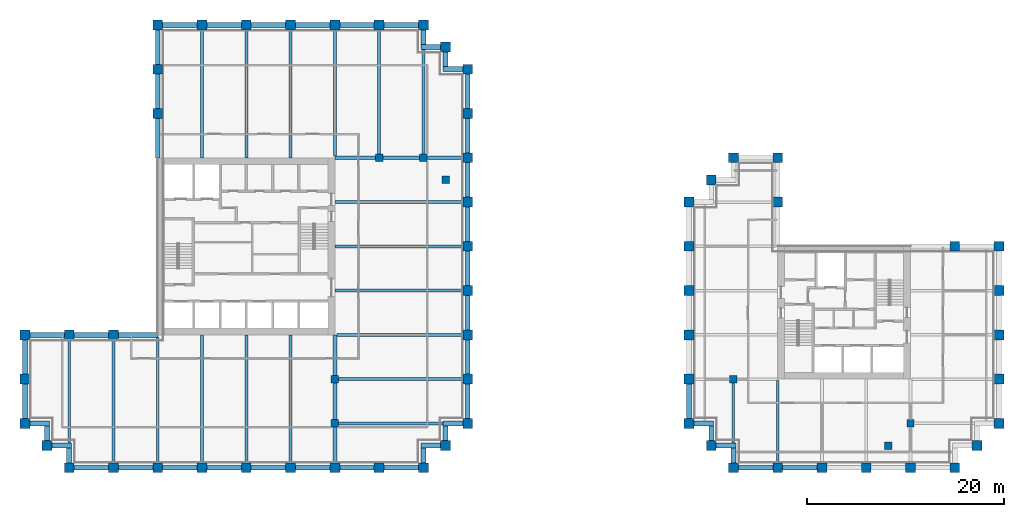
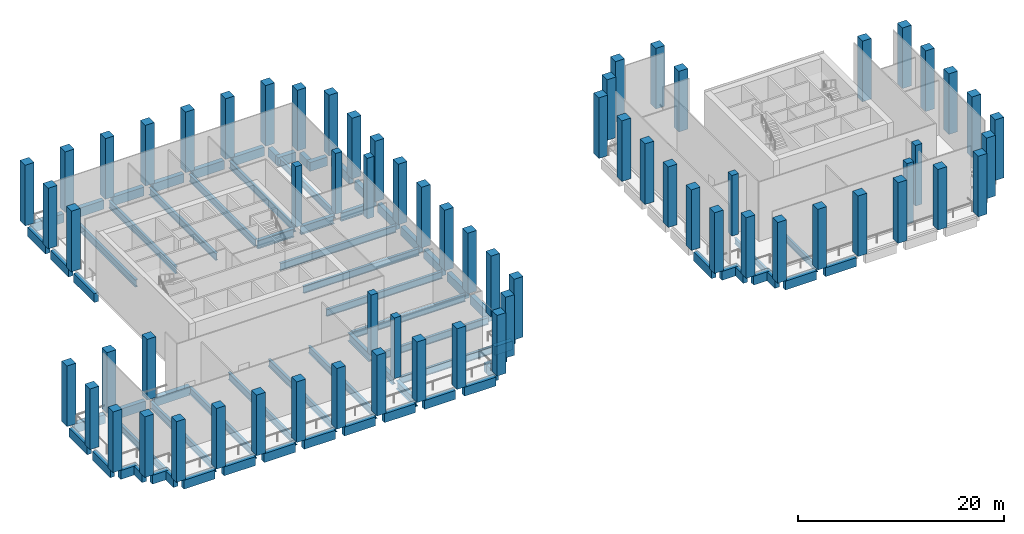
# One storey, part 1 of 9: 75 beams, 67 columns.
"""IFC4 building model written with IfcOpenShell, lengths in metres."""

import ifcopenshell
import ifcopenshell.guid

model = None  # the IFC model being written
_history = None  # IfcOwnerHistory: only IFC2X3 demands one
_inside = {}  # id of a spatial element -> (the spatial element, [elements in it])
_under = {}  # id of a project, library or spatial element -> (it, [spatial elements below it])
_declared = {}  # id of a project -> (the project, [libraries it declares])
_typed = {}  # id of a type object -> (the type object, [elements of that type])
_made_of = {}  # id of a material, layer set ... -> (it, [elements and type objects made of it])


def new_model(schema):
    """Start an empty IFC model of exactly this schema.

    Asked for "IFC4X3", IfcOpenShell would pick the latest addendum, in which some entities
    have other attributes; the version numbers below select the first issue.
    IFC2X3 requires an IfcOwnerHistory on every rooted entity: one is made here for all.
    """
    global model, _history
    if schema == "IFC4X3":
        model = ifcopenshell.file(schema_version=(4, 3, 0, 0))
    else:
        model = ifcopenshell.file(schema=schema)
    _inside.clear()
    _under.clear()
    _declared.clear()
    _typed.clear()
    _made_of.clear()
    _history = None
    if model.schema == "IFC2X3":
        org = make("IfcOrganization", Name="unknown")
        user = make(
            "IfcPersonAndOrganization",
            ThePerson=make("IfcPerson", FamilyName="unknown"),
            TheOrganization=org,
        )
        app = make(
            "IfcApplication",
            ApplicationDeveloper=org,
            Version="unknown",
            ApplicationFullName="unknown",
            ApplicationIdentifier="unknown",
        )
        _history = make(
            "IfcOwnerHistory",
            OwningUser=user,
            OwningApplication=app,
            ChangeAction="ADDED",
            CreationDate=0,
        )
    return model


def make(cls, **values):
    """One entity of the class cls with the attributes given. An attribute that is None is left unset."""
    return model.create_entity(
        cls, **{name: value for name, value in values.items() if value is not None}
    )


def rooted(cls, **values):
    """An entity with a GlobalId (a new one), such as an element, a storey or a relation."""
    return make(cls, GlobalId=ifcopenshell.guid.new(), OwnerHistory=_history, **values)


def si_unit(unit_type, name, prefix=None):
    """IfcSIUnit, for example si_unit("LENGTHUNIT", "METRE", prefix="MILLI")."""
    return make("IfcSIUnit", UnitType=unit_type, Prefix=prefix, Name=name)


def assignment(units):
    """IfcUnitAssignment: the units of a project."""
    return None if units is None else make("IfcUnitAssignment", Units=units)


def point(xyz):
    """IfcCartesianPoint."""
    return None if xyz is None else make("IfcCartesianPoint", Coordinates=xyz)


def direction(xyz):
    """IfcDirection."""
    return None if xyz is None else make("IfcDirection", DirectionRatios=xyz)


def frame(location, z_axis=None, x_axis=None):
    """IfcAxis2Placement3D, a coordinate frame: its origin and axes. An axis left out is left unset."""
    return make(
        "IfcAxis2Placement3D",
        Location=point(location),
        Axis=direction(z_axis),
        RefDirection=direction(x_axis),
    )


def frame_2d(location, x_axis=None):
    """IfcAxis2Placement2D, a coordinate frame in the plane: its origin and x axis."""
    return make(
        "IfcAxis2Placement2D", Location=point(location), RefDirection=direction(x_axis)
    )


def origin():
    """The frame at (0, 0, 0) with its axes left unset."""
    return frame((0.0, 0.0, 0.0))


def origin_2d():
    """The frame at (0, 0) in the plane with its x axis left unset."""
    return frame_2d((0.0, 0.0))


def place(relative_to, where):
    """IfcLocalPlacement: puts the frame where relative to a parent placement (None: the world)."""
    return make(
        "IfcLocalPlacement", PlacementRelTo=relative_to, RelativePlacement=where
    )


def context(
    kind, dimensions, precision=None, world=None, true_north=None, identifier=None
):
    """IfcGeometricRepresentationContext, for example the 3D "Model" context."""
    return make(
        "IfcGeometricRepresentationContext",
        ContextIdentifier=identifier,
        ContextType=kind,
        CoordinateSpaceDimension=dimensions,
        Precision=precision,
        WorldCoordinateSystem=world,
        TrueNorth=true_north,
    )


def subcontext(parent, identifier, kind, view, scale=None):
    """IfcGeometricRepresentationSubContext, for example "Body" below "Model"."""
    return make(
        "IfcGeometricRepresentationSubContext",
        ContextIdentifier=identifier,
        ContextType=kind,
        ParentContext=parent,
        TargetScale=scale,
        TargetView=view,
    )


def project(units=None, contexts=None):
    """IfcProject with its units and contexts."""
    return rooted(
        "IfcProject",
        Name="project",
        RepresentationContexts=contexts,
        UnitsInContext=assignment(units),
    )


def spatial(cls, under=None, at=None, **own):
    """A site, building, storey or space (cls), placed at a placement, below another one or the project."""
    s = rooted(cls, ObjectPlacement=at, **own)
    if under is not None:
        _under.setdefault(under.id(), (under, []))[1].append(s)
    return s


def profile(cls, at=None, kind="AREA", **sizes):
    """A parametric profile (cls). Its sizes go by their IFC names, for example OverallWidth=200.0."""
    return make(cls, ProfileType=kind, Position=at, **sizes)


def rectangle(**sizes):
    """IfcRectangleProfileDef."""
    return profile("IfcRectangleProfileDef", **sizes)


def i_section(**sizes):
    """IfcIShapeProfileDef."""
    return profile("IfcIShapeProfileDef", **sizes)


def extrude(swept, where, along, depth):
    """IfcExtrudedAreaSolid: the profile swept, set in the frame where, extruded along a direction by depth."""
    return make(
        "IfcExtrudedAreaSolid",
        SweptArea=swept,
        Position=where,
        ExtrudedDirection=direction(along),
        Depth=depth,
    )


def shape(context_of_items, identifier, shape_type, items):
    """IfcShapeRepresentation: the items that make up one representation, for example the "Body"."""
    return make(
        "IfcShapeRepresentation",
        ContextOfItems=context_of_items,
        RepresentationIdentifier=identifier,
        RepresentationType=shape_type,
        Items=items,
    )


def material(Name=None, Category=None):
    """IfcMaterial."""
    return make("IfcMaterial", Name=Name, Category=Category)


def material_profile(
    of_material, cross_section, Name=None, Category=None, Priority=None
):
    """IfcMaterialProfile: a cross section and its material."""
    return make(
        "IfcMaterialProfile",
        Name=Name,
        Material=of_material,
        Profile=cross_section,
        Priority=Priority,
        Category=Category,
    )


def profile_set(profiles, Name=None, composite=None):
    """IfcMaterialProfileSet."""
    return make(
        "IfcMaterialProfileSet",
        Name=Name,
        MaterialProfiles=profiles,
        CompositeProfile=composite,
    )


def made_of(thing, what):
    """Note that an element or type object is made of a material, layer set ...; save() writes the relation."""
    if what is not None:
        _made_of.setdefault(what.id(), (what, []))[1].append(thing)
    return thing


def type_object(cls, material=None, **own):
    """A type object (cls), such as IfcWallType, which elements share."""
    return made_of(rooted(cls, **own), material)


def element(
    cls,
    number,
    at=None,
    inside=None,
    cuts=None,
    type_object=None,
    material=None,
    context=None,
    identifier="Body",
    shape_type=None,
    held_by="IfcProductDefinitionShape",
    body=None,
    shapes=None,
    **own,
):
    """One element of the class cls, such as IfcWall. Its Tag is "e" and its number.

    at: its placement. inside: the storey or other place that contains it. cuts: it is an
    opening in that element (IfcRelVoidsElement). A single representation is given by context,
    identifier, shape_type and body (its items); several are given by shapes. held_by: the class
    of the entity that holds the representations. save() writes the other relations.
    """
    e = rooted(cls, Tag="e%d" % number, ObjectPlacement=at, **own)
    if body is not None:
        shapes = [shape(context, identifier, shape_type, body)]
    if shapes is not None:
        e.Representation = make(held_by, Representations=shapes)
    if inside is not None:
        _inside.setdefault(inside.id(), (inside, []))[1].append(e)
    if cuts is not None:
        rooted(
            "IfcRelVoidsElement", RelatingBuildingElement=cuts, RelatedOpeningElement=e
        )
    if type_object is not None:
        _typed.setdefault(type_object.id(), (type_object, []))[1].append(e)
    return made_of(e, material)


def aggregate(whole, parts):
    """IfcRelAggregates: a whole, such as a stair, and the parts it consists of."""
    return rooted("IfcRelAggregates", RelatingObject=whole, RelatedObjects=parts)


def save(model, path):
    """Write the relations noted so far, then the file.

    IfcRelAggregates (storeys below a building ...), IfcRelContainedInSpatialStructure (elements
    in a storey), IfcRelDefinesByType, IfcRelAssociatesMaterial and IfcRelDeclares: one each for
    every whole, place, type object, material and project.
    """
    for whole, parts in _under.values():
        aggregate(whole, parts)
    for where, things in _inside.values():
        rooted(
            "IfcRelContainedInSpatialStructure",
            RelatedElements=things,
            RelatingStructure=where,
        )
    for kind, things in _typed.values():
        rooted("IfcRelDefinesByType", RelatedObjects=things, RelatingType=kind)
    for what, things in _made_of.values():
        rooted("IfcRelAssociatesMaterial", RelatedObjects=things, RelatingMaterial=what)
    for by, libraries in _declared.values():
        rooted("IfcRelDeclares", RelatingContext=by, RelatedDefinitions=libraries)
    model.write(path)


model = new_model("IFC4")

# Units and contexts
model_context = context("Model", 3, precision=1e-05, world=origin(), true_north=direction((0.0, 1.0)))
body_context = subcontext(model_context, "Body", "Model", "MODEL_VIEW")
ifc_project = project(units=[si_unit("LENGTHUNIT", "METRE"), si_unit("AREAUNIT", "SQUARE_METRE"), si_unit("VOLUMEUNIT", "CUBIC_METRE"), si_unit("PLANEANGLEUNIT", "RADIAN"), si_unit("MASSUNIT", "GRAM", prefix="KILO")], contexts=[model_context])

# Site, building, storey
site_placement = place(None, origin())
site = spatial("IfcSite", under=ifc_project, at=site_placement, CompositionType="ELEMENT")
building_placement = place(site_placement, origin())
building = spatial("IfcBuilding", under=site, at=building_placement, Name="Altepetl Exchange Towers", CompositionType="ELEMENT")
storey_placement = place(building_placement, frame((0.0, 0.0, 113.60009765625)))
storey = spatial("IfcBuildingStorey", under=building, at=storey_placement, Name="L28 Wind floor plant", CompositionType="ELEMENT", Elevation=113.60009765625)

# Columns
ifc_material_1 = material(Name="Concrete C70/85", Category="concrete")
ifc_material_profile_1 = material_profile(ifc_material_1, rectangle(XDim=0.75, YDim=0.75, at=origin_2d()), Name="750 x 750")
ifc_profile_set_1 = profile_set([ifc_material_profile_1], Name="Concrete C70/85")
column_type_1 = type_object("IfcColumnType", Name="Interior column 750", PredefinedType="COLUMN", material=ifc_profile_set_1)
for number, where, name in (
    (1, (58.5, 31.5, 0.0), "col:A:L28:035"),
    (2, (58.5, 36.0, 0.0), "col:A:L28:036"),
    (3, (63.0, 58.5, 0.0), "col:A:L28:037"),
    (4, (67.5, 58.5, 0.0), "col:A:L28:038"),
    (5, (69.75, 56.25, 0.0), "col:A:L28:039"),
    (6, (99.0, 36.0, 0.0), "col:B:L28:024"),
    (7, (114.75, 29.25, 0.0), "col:B:L28:025"),
    (8, (117.0, 31.5, 0.0), "col:B:L28:026"),
):
    element("IfcColumn", number, at=place(storey_placement, frame(where)), inside=storey, type_object=column_type_1, Name=name, PredefinedType="COLUMN", context=body_context, shape_type="SweptSolid", body=[
        extrude(rectangle(XDim=0.75, YDim=0.75, at=origin_2d()), origin(), (0.0, 0.0, 1.0), 7.199951171875),
    ])
ifc_material_2 = material(Name="Concrete C70/85 precast with cantera amarilla facing", Category="concrete")
ifc_material_profile_2 = material_profile(ifc_material_2, rectangle(XDim=1.0, YDim=1.0, at=origin_2d()), Name="1000 x 1000")
ifc_profile_set_2 = profile_set([ifc_material_profile_2], Name="Concrete C70/85 precast with cantera amarilla facing")
column_type_2 = type_object("IfcColumnType", Name="Perimeter column 1000 cantera amarilla", PredefinedType="COLUMN", material=ifc_profile_set_2)
for number, where, name in (
    (9, (58.5, 27.0, 0.0), "col:A:L28:006"),
    (10, (63.0, 27.0, 0.0), "col:A:L28:007"),
    (11, (67.5, 27.0, 0.0), "col:A:L28:008"),
    (12, (69.75, 29.25, 0.0), "col:A:L28:009"),
    (13, (72.0, 31.5, 0.0), "col:A:L28:010"),
    (14, (72.0, 36.0, 0.0), "col:A:L28:011"),
    (15, (72.0, 40.5, 0.0), "col:A:L28:012"),
    (16, (72.0, 45.0, 0.0), "col:A:L28:013"),
    (17, (72.0, 49.5, 0.0), "col:A:L28:014"),
    (18, (72.0, 54.0, 0.0), "col:A:L28:015"),
    (19, (126.0, 49.5, 0.0), "col:B:L28:011"),
    (20, (121.5, 49.5, 0.0), "col:B:L28:012"),
):
    element("IfcColumn", number, at=place(storey_placement, frame(where)), inside=storey, type_object=column_type_2, Name=name, PredefinedType="COLUMN", context=body_context, shape_type="SweptSolid", body=[
        extrude(rectangle(XDim=1.0, YDim=1.0, at=origin_2d()), origin(), (0.0, 0.0, 1.0), 7.199951171875),
    ])
ifc_material_3 = material(Name="Concrete C70/85 precast with cantera blanca facing", Category="concrete")
ifc_material_profile_3 = material_profile(ifc_material_3, rectangle(XDim=1.0, YDim=1.0, at=origin_2d()), Name="1000 x 1000")
ifc_profile_set_3 = profile_set([ifc_material_profile_3], Name="Concrete C70/85 precast with cantera blanca facing")
column_type_3 = type_object("IfcColumnType", Name="Perimeter column 1000 cantera blanca", PredefinedType="COLUMN", material=ifc_profile_set_3)
for number, where, name in (
    (21, (31.5, 27.0, 0.0), "col:A:L28:000"),
    (22, (36.0, 27.0, 0.0), "col:A:L28:001"),
    (23, (40.5, 27.0, 0.0), "col:A:L28:002"),
    (24, (45.0, 27.0, 0.0), "col:A:L28:003"),
    (25, (49.5, 27.0, 0.0), "col:A:L28:004"),
    (26, (54.0, 27.0, 0.0), "col:A:L28:005"),
    (27, (27.0, 36.0, 0.0), "col:A:L28:032"),
    (28, (27.0, 31.5, 0.0), "col:A:L28:033"),
    (29, (29.25, 29.25, 0.0), "col:A:L28:034"),
    (30, (117.0, 27.0, 0.0), "col:B:L28:004"),
    (31, (121.5, 27.0, 0.0), "col:B:L28:005"),
    (32, (123.75, 29.25, 0.0), "col:B:L28:006"),
    (33, (126.0, 31.5, 0.0), "col:B:L28:007"),
    (34, (126.0, 36.0, 0.0), "col:B:L28:008"),
    (35, (126.0, 40.5, 0.0), "col:B:L28:009"),
    (36, (126.0, 45.0, 0.0), "col:B:L28:010"),
):
    element("IfcColumn", number, at=place(storey_placement, frame(where)), inside=storey, type_object=column_type_3, Name=name, PredefinedType="COLUMN", context=body_context, shape_type="SweptSolid", body=[
        extrude(rectangle(XDim=1.0, YDim=1.0, at=origin_2d()), origin(), (0.0, 0.0, 1.0), 7.199951171875),
    ])
ifc_material_4 = material(Name="Concrete C70/85 precast with cantera rosa facing", Category="concrete")
ifc_material_profile_4 = material_profile(ifc_material_4, rectangle(XDim=1.0, YDim=1.0, at=origin_2d()), Name="1000 x 1000")
ifc_profile_set_4 = profile_set([ifc_material_profile_4], Name="Concrete C70/85 precast with cantera rosa facing")
column_type_4 = type_object("IfcColumnType", Name="Perimeter column 1000 cantera rosa", PredefinedType="COLUMN", material=ifc_profile_set_4)
for number, where, name in (
    (37, (72.0, 58.5, 0.0), "col:A:L28:016"),
    (38, (72.0, 63.0, 0.0), "col:A:L28:017"),
    (39, (72.0, 67.5, 0.0), "col:A:L28:018"),
    (40, (69.75, 69.75, 0.0), "col:A:L28:019"),
    (41, (67.5, 72.0, 0.0), "col:A:L28:020"),
    (42, (63.0, 72.0, 0.0), "col:A:L28:021"),
    (43, (58.5, 72.0, 0.0), "col:A:L28:022"),
    (44, (54.0, 72.0, 0.0), "col:A:L28:023"),
    (45, (49.5, 72.0, 0.0), "col:A:L28:024"),
    (46, (45.0, 72.0, 0.0), "col:A:L28:025"),
    (47, (103.5, 54.0, 0.0), "col:B:L28:013"),
    (48, (103.5, 58.5, 0.0), "col:B:L28:014"),
    (49, (99.0, 58.5, 0.0), "col:B:L28:015"),
    (50, (96.75, 56.25, 0.0), "col:B:L28:016"),
    (51, (94.5, 54.0, 0.0), "col:B:L28:017"),
    (52, (94.5, 49.5, 0.0), "col:B:L28:018"),
    (53, (94.5, 45.0, 0.0), "col:B:L28:019"),
    (54, (94.5, 40.5, 0.0), "col:B:L28:020"),
    (55, (94.5, 36.0, 0.0), "col:B:L28:021"),
):
    element("IfcColumn", number, at=place(storey_placement, frame(where)), inside=storey, type_object=column_type_4, Name=name, PredefinedType="COLUMN", context=body_context, shape_type="SweptSolid", body=[
        extrude(rectangle(XDim=1.0, YDim=1.0, at=origin_2d()), origin(), (0.0, 0.0, 1.0), 7.199951171875),
    ])
ifc_material_5 = material(Name="Concrete C70/85 precast with tezontle facing", Category="concrete")
ifc_material_profile_5 = material_profile(ifc_material_5, rectangle(XDim=1.0, YDim=1.0, at=origin_2d()), Name="1000 x 1000")
ifc_profile_set_5 = profile_set([ifc_material_profile_5], Name="Concrete C70/85 precast with tezontle facing")
column_type_5 = type_object("IfcColumnType", Name="Perimeter column 1000 tezontle", PredefinedType="COLUMN", material=ifc_profile_set_5)
for number, where, name in (
    (56, (40.5, 72.0, 0.0), "col:A:L28:026"),
    (57, (40.5, 67.5, 0.0), "col:A:L28:027"),
    (58, (40.5, 63.0, 0.0), "col:A:L28:028"),
    (59, (36.0, 40.5, 0.0), "col:A:L28:029"),
    (60, (31.5, 40.5, 0.0), "col:A:L28:030"),
    (61, (27.0, 40.5, 0.0), "col:A:L28:031"),
    (62, (99.0, 27.0, 0.0), "col:B:L28:000"),
    (63, (103.5, 27.0, 0.0), "col:B:L28:001"),
    (64, (108.0, 27.0, 0.0), "col:B:L28:002"),
    (65, (112.5, 27.0, 0.0), "col:B:L28:003"),
    (66, (94.5, 31.5, 0.0), "col:B:L28:022"),
    (67, (96.75, 29.25, 0.0), "col:B:L28:023"),
):
    element("IfcColumn", number, at=place(storey_placement, frame(where)), inside=storey, type_object=column_type_5, Name=name, PredefinedType="COLUMN", context=body_context, shape_type="SweptSolid", body=[
        extrude(rectangle(XDim=1.0, YDim=1.0, at=origin_2d()), origin(), (0.0, 0.0, 1.0), 7.199951171875),
    ])

# Beams
ifc_material_6 = material(Name="Steel S355", Category="steel")
ifc_material_profile_6 = material_profile(ifc_material_6, i_section(OverallWidth=0.39990234375, OverallDepth=0.989990234375, WebThickness=0.0166015625, FlangeThickness=0.031005859375, at=origin_2d()), Name="W40X215")
ifc_profile_set_6 = profile_set([ifc_material_profile_6], Name="Steel S355")
beam_type_1 = type_object("IfcBeamType", Name="Girder W40X215", PredefinedType="BEAM", material=ifc_profile_set_6)
beam_1_placement = place(storey_placement, frame((58.5, 58.5, -0.7451171875), z_axis=(1.0, 0.0, 0.0), x_axis=(0.0, 1.0, 0.0)))
element("IfcBeam", 68, at=beam_1_placement, inside=storey, type_object=beam_type_1, Name="gd:A:L28:000", PredefinedType="BEAM", context=body_context, shape_type="SweptSolid", body=[
    extrude(i_section(OverallWidth=0.39990234375, OverallDepth=0.989990234375, WebThickness=0.0166015625, FlangeThickness=0.031005859375, at=origin_2d()), origin(), (0.0, 0.0, 1.0), 4.125),
])
beam_2_placement = place(storey_placement, frame((63.375, 58.5, -0.7451171875), z_axis=(1.0, 0.0, 0.0), x_axis=(0.0, 1.0, 0.0)))
element("IfcBeam", 69, at=beam_2_placement, inside=storey, type_object=beam_type_1, Name="gd:A:L28:001", PredefinedType="BEAM", context=body_context, shape_type="SweptSolid", body=[
    extrude(i_section(OverallWidth=0.39990234375, OverallDepth=0.989990234375, WebThickness=0.0166015625, FlangeThickness=0.031005859375, at=origin_2d()), origin(), (0.0, 0.0, 1.0), 3.75),
])
beam_3_placement = place(storey_placement, frame((67.875, 58.5, -0.7451171875), z_axis=(1.0, 0.0, 0.0), x_axis=(0.0, 1.0, 0.0)))
element("IfcBeam", 70, at=beam_3_placement, inside=storey, type_object=beam_type_1, Name="gd:A:L28:002", PredefinedType="BEAM", context=body_context, shape_type="SweptSolid", body=[
    extrude(i_section(OverallWidth=0.39990234375, OverallDepth=0.989990234375, WebThickness=0.0166015625, FlangeThickness=0.031005859375, at=origin_2d()), origin(), (0.0, 0.0, 1.0), 3.625),
])
beam_4_placement = place(storey_placement, frame((58.5, 40.5, -0.7451171875), z_axis=(0.0, -1.0, 0.0), x_axis=(1.0, 0.0, 0.0)))
element("IfcBeam", 71, at=beam_4_placement, inside=storey, type_object=beam_type_1, Name="gd:A:L28:003", PredefinedType="BEAM", context=body_context, shape_type="SweptSolid", body=[
    extrude(i_section(OverallWidth=0.39990234375, OverallDepth=0.989990234375, WebThickness=0.0166015625, FlangeThickness=0.031005859375, at=origin_2d()), origin(), (0.0, 0.0, 1.0), 4.125),
])
beam_5_placement = place(storey_placement, frame((58.5, 35.625, -0.7451171875), z_axis=(0.0, -1.0, 0.0), x_axis=(1.0, 0.0, 0.0)))
element("IfcBeam", 72, at=beam_5_placement, inside=storey, type_object=beam_type_1, Name="gd:A:L28:004", PredefinedType="BEAM", context=body_context, shape_type="SweptSolid", body=[
    extrude(i_section(OverallWidth=0.39990234375, OverallDepth=0.989990234375, WebThickness=0.0166015625, FlangeThickness=0.031005859375, at=origin_2d()), origin(), (0.0, 0.0, 1.0), 3.75),
])
beam_6_placement = place(storey_placement, frame((58.5, 31.125, -0.7451171875), z_axis=(0.0, -1.0, 0.0), x_axis=(1.0, 0.0, 0.0)))
element("IfcBeam", 73, at=beam_6_placement, inside=storey, type_object=beam_type_1, Name="gd:A:L28:005", PredefinedType="BEAM", context=body_context, shape_type="SweptSolid", body=[
    extrude(i_section(OverallWidth=0.39990234375, OverallDepth=0.989990234375, WebThickness=0.0166015625, FlangeThickness=0.031005859375, at=origin_2d()), origin(), (0.0, 0.0, 1.0), 3.625),
])
ifc_material_profile_7 = material_profile(ifc_material_6, i_section(OverallWidth=0.25390625, OverallDepth=0.68408203125, WebThickness=0.012451171875, FlangeThickness=0.018798828125, at=origin_2d()), Name="W27X94")
ifc_profile_set_7 = profile_set([ifc_material_profile_7], Name="Steel S355")
beam_type_2 = type_object("IfcBeamType", Name="Plant floor beam W27X94", PredefinedType="BEAM", material=ifc_profile_set_7)
beam_7_placement = place(storey_placement, frame((99.0, 29.5, -0.592041015625), z_axis=(0.0, 1.0, 0.0), x_axis=(-1.0, 0.0, 0.0)))
element("IfcBeam", 74, at=beam_7_placement, inside=storey, type_object=beam_type_2, Name="bm:B:L28:004", PredefinedType="BEAM", context=body_context, shape_type="SweptSolid", body=[
    extrude(i_section(OverallWidth=0.25390625, OverallDepth=0.68408203125, WebThickness=0.012451171875, FlangeThickness=0.018798828125, at=origin_2d()), origin(), (0.0, 0.0, 1.0), 6.125),
])
ifc_material_profile_8 = material_profile(ifc_material_6, i_section(OverallWidth=0.26611328125, OverallDepth=0.758056640625, WebThickness=0.013916015625, FlangeThickness=0.019287109375, at=origin_2d()), Name="W30X108")
ifc_profile_set_8 = profile_set([ifc_material_profile_8], Name="Steel S355")
beam_type_3 = type_object("IfcBeamType", Name="Plant floor beam W30X108", PredefinedType="BEAM", material=ifc_profile_set_8)
beam_8_placement = place(storey_placement, frame((103.5, 27.5, -0.629150390625), z_axis=(0.0, 1.0, 0.0), x_axis=(-1.0, 0.0, 0.0)))
element("IfcBeam", 75, at=beam_8_placement, inside=storey, type_object=beam_type_3, Name="bm:B:L28:005", PredefinedType="BEAM", context=body_context, shape_type="SweptSolid", body=[
    extrude(i_section(OverallWidth=0.26611328125, OverallDepth=0.758056640625, WebThickness=0.013916015625, FlangeThickness=0.019287109375, at=origin_2d()), origin(), (0.0, 0.0, 1.0), 8.365966796875),
])
ifc_material_profile_9 = material_profile(ifc_material_6, i_section(OverallWidth=0.2939453125, OverallDepth=0.845947265625, WebThickness=0.015380859375, FlangeThickness=0.0244140625, at=origin_2d()), Name="W33X141")
ifc_profile_set_9 = profile_set([ifc_material_profile_9], Name="Steel S355")
beam_type_4 = type_object("IfcBeamType", Name="Plant floor beam W33X141", PredefinedType="BEAM", material=ifc_profile_set_9)
for number, where, z_axis, x_axis, name in (
    (76, (45.0, 58.5, -0.673095703125), (0.0, 1.0, 0.0), (-1.0, 0.0, 0.0), "bm:A:L28:000"),
    (77, (49.5, 58.5, -0.673095703125), (0.0, 1.0, 0.0), (-1.0, 0.0, 0.0), "bm:A:L28:001"),
    (78, (54.0, 58.5, -0.673095703125), (0.0, 1.0, 0.0), (-1.0, 0.0, 0.0), "bm:A:L28:002"),
):
    element("IfcBeam", number, at=place(storey_placement, frame(where, z_axis=z_axis, x_axis=x_axis)), inside=storey, type_object=beam_type_4, Name=name, PredefinedType="BEAM", context=body_context, shape_type="SweptSolid", body=[
        extrude(i_section(OverallWidth=0.2939453125, OverallDepth=0.845947265625, WebThickness=0.015380859375, FlangeThickness=0.0244140625, at=origin_2d()), origin(), (0.0, 0.0, 1.0), 13.0),
    ])
beam_9_placement = place(storey_placement, frame((58.5, 58.699951171875, -0.673095703125), z_axis=(0.0, 1.0, 0.0), x_axis=(-1.0, 0.0, 0.0)))
element("IfcBeam", 79, at=beam_9_placement, inside=storey, type_object=beam_type_4, Name="bm:A:L28:003", PredefinedType="BEAM", context=body_context, shape_type="SweptSolid", body=[
    extrude(i_section(OverallWidth=0.2939453125, OverallDepth=0.845947265625, WebThickness=0.015380859375, FlangeThickness=0.0244140625, at=origin_2d()), origin(), (0.0, 0.0, 1.0), 12.800048828125),
])
beam_10_placement = place(storey_placement, frame((63.0, 58.875, -0.673095703125), z_axis=(0.0, 1.0, 0.0), x_axis=(-1.0, 0.0, 0.0)))
element("IfcBeam", 80, at=beam_10_placement, inside=storey, type_object=beam_type_4, Name="bm:A:L28:004", PredefinedType="BEAM", context=body_context, shape_type="SweptSolid", body=[
    extrude(i_section(OverallWidth=0.2939453125, OverallDepth=0.845947265625, WebThickness=0.015380859375, FlangeThickness=0.0244140625, at=origin_2d()), origin(), (0.0, 0.0, 1.0), 12.625),
])
for number, where, z_axis, x_axis, name in (
    (81, (67.5, 58.875, -0.673095703125), (0.0, 1.0, 0.0), (-1.0, 0.0, 0.0), "bm:A:L28:005"),
    (82, (58.875, 31.5, -0.673095703125), (1.0, 0.0, 0.0), (0.0, 1.0, 0.0), "bm:A:L28:006"),
):
    element("IfcBeam", number, at=place(storey_placement, frame(where, z_axis=z_axis, x_axis=x_axis)), inside=storey, type_object=beam_type_4, Name=name, PredefinedType="BEAM", context=body_context, shape_type="SweptSolid", body=[
        extrude(i_section(OverallWidth=0.2939453125, OverallDepth=0.845947265625, WebThickness=0.015380859375, FlangeThickness=0.0244140625, at=origin_2d()), origin(), (0.0, 0.0, 1.0), 10.625),
    ])
beam_11_placement = place(storey_placement, frame((58.875, 36.0, -0.673095703125), z_axis=(1.0, 0.0, 0.0), x_axis=(0.0, 1.0, 0.0)))
element("IfcBeam", 83, at=beam_11_placement, inside=storey, type_object=beam_type_4, Name="bm:A:L28:007", PredefinedType="BEAM", context=body_context, shape_type="SweptSolid", body=[
    extrude(i_section(OverallWidth=0.2939453125, OverallDepth=0.845947265625, WebThickness=0.015380859375, FlangeThickness=0.0244140625, at=origin_2d()), origin(), (0.0, 0.0, 1.0), 12.625),
])
beam_12_placement = place(storey_placement, frame((58.699951171875, 40.5, -0.673095703125), z_axis=(1.0, 0.0, 0.0), x_axis=(0.0, 1.0, 0.0)))
element("IfcBeam", 84, at=beam_12_placement, inside=storey, type_object=beam_type_4, Name="bm:A:L28:008", PredefinedType="BEAM", context=body_context, shape_type="SweptSolid", body=[
    extrude(i_section(OverallWidth=0.2939453125, OverallDepth=0.845947265625, WebThickness=0.015380859375, FlangeThickness=0.0244140625, at=origin_2d()), origin(), (0.0, 0.0, 1.0), 12.800048828125),
])
for number, where, z_axis, x_axis, name in (
    (85, (58.5, 45.0, -0.673095703125), (1.0, 0.0, 0.0), (0.0, 1.0, 0.0), "bm:A:L28:009"),
    (86, (58.5, 49.5, -0.673095703125), (1.0, 0.0, 0.0), (0.0, 1.0, 0.0), "bm:A:L28:010"),
    (87, (58.5, 54.0, -0.673095703125), (1.0, 0.0, 0.0), (0.0, 1.0, 0.0), "bm:A:L28:011"),
):
    element("IfcBeam", number, at=place(storey_placement, frame(where, z_axis=z_axis, x_axis=x_axis)), inside=storey, type_object=beam_type_4, Name=name, PredefinedType="BEAM", context=body_context, shape_type="SweptSolid", body=[
        extrude(i_section(OverallWidth=0.2939453125, OverallDepth=0.845947265625, WebThickness=0.015380859375, FlangeThickness=0.0244140625, at=origin_2d()), origin(), (0.0, 0.0, 1.0), 13.0),
    ])
beam_13_placement = place(storey_placement, frame((31.5, 29.5, -0.673095703125), z_axis=(0.0, 1.0, 0.0), x_axis=(-1.0, 0.0, 0.0)))
element("IfcBeam", 88, at=beam_13_placement, inside=storey, type_object=beam_type_4, Name="bm:A:L28:012", PredefinedType="BEAM", context=body_context, shape_type="SweptSolid", body=[
    extrude(i_section(OverallWidth=0.2939453125, OverallDepth=0.845947265625, WebThickness=0.015380859375, FlangeThickness=0.0244140625, at=origin_2d()), origin(), (0.0, 0.0, 1.0), 10.5),
])
beam_14_placement = place(storey_placement, frame((36.0, 27.5, -0.673095703125), z_axis=(0.0, 1.0, 0.0), x_axis=(-1.0, 0.0, 0.0)))
element("IfcBeam", 89, at=beam_14_placement, inside=storey, type_object=beam_type_4, Name="bm:A:L28:013", PredefinedType="BEAM", context=body_context, shape_type="SweptSolid", body=[
    extrude(i_section(OverallWidth=0.2939453125, OverallDepth=0.845947265625, WebThickness=0.015380859375, FlangeThickness=0.0244140625, at=origin_2d()), origin(), (0.0, 0.0, 1.0), 12.5),
])
beam_15_placement = place(storey_placement, frame((40.5, 27.5, -0.673095703125), z_axis=(0.0, 1.0, 0.0), x_axis=(-1.0, 0.0, 0.0)))
element("IfcBeam", 90, at=beam_15_placement, inside=storey, type_object=beam_type_4, Name="bm:A:L28:014", PredefinedType="BEAM", context=body_context, shape_type="SweptSolid", body=[
    extrude(i_section(OverallWidth=0.2939453125, OverallDepth=0.845947265625, WebThickness=0.015380859375, FlangeThickness=0.0244140625, at=origin_2d()), origin(), (0.0, 0.0, 1.0), 12.75),
])
for number, where, z_axis, x_axis, name in (
    (91, (45.0, 27.5, -0.673095703125), (0.0, 1.0, 0.0), (-1.0, 0.0, 0.0), "bm:A:L28:015"),
    (92, (49.5, 27.5, -0.673095703125), (0.0, 1.0, 0.0), (-1.0, 0.0, 0.0), "bm:A:L28:016"),
    (93, (54.0, 27.5, -0.673095703125), (0.0, 1.0, 0.0), (-1.0, 0.0, 0.0), "bm:A:L28:017"),
):
    element("IfcBeam", number, at=place(storey_placement, frame(where, z_axis=z_axis, x_axis=x_axis)), inside=storey, type_object=beam_type_4, Name=name, PredefinedType="BEAM", context=body_context, shape_type="SweptSolid", body=[
        extrude(i_section(OverallWidth=0.2939453125, OverallDepth=0.845947265625, WebThickness=0.015380859375, FlangeThickness=0.0244140625, at=origin_2d()), origin(), (0.0, 0.0, 1.0), 13.0),
    ])
ifc_material_7 = material(Name="Concrete C50/60 precast with cantera amarilla facing", Category="concrete")
ifc_material_profile_10 = material_profile(ifc_material_7, rectangle(XDim=0.5, YDim=1.050048828125, at=origin_2d()), Name="500 x 1050")
ifc_profile_set_10 = profile_set([ifc_material_profile_10], Name="Concrete C50/60 precast with cantera amarilla facing")
beam_type_5 = type_object("IfcBeamType", Name="Spandrel beam 500x1050 cantera amarilla", PredefinedType="SPANDREL", material=ifc_profile_set_10)
for number, where, z_axis, x_axis, name in (
    (94, (59.0, 27.0, -0.775146484375), (1.0, 0.0, 0.0), (0.0, 1.0, 0.0), "sp:A:L28:006"),
    (95, (63.5, 27.0, -0.775146484375), (1.0, 0.0, 0.0), (0.0, 1.0, 0.0), "sp:A:L28:007"),
):
    element("IfcBeam", number, at=place(storey_placement, frame(where, z_axis=z_axis, x_axis=x_axis)), inside=storey, type_object=beam_type_5, Name=name, PredefinedType="SPANDREL", context=body_context, shape_type="SweptSolid", body=[
        extrude(rectangle(XDim=0.5, YDim=1.050048828125, at=origin_2d()), origin(), (0.0, 0.0, 1.0), 3.5),
    ])
beam_16_placement = place(storey_placement, frame((67.5, 27.5, -0.775146484375), z_axis=(0.0, 1.0, 0.0), x_axis=(-1.0, 0.0, 0.0)))
element("IfcBeam", 96, at=beam_16_placement, inside=storey, type_object=beam_type_5, Name="sp:A:L28:008", PredefinedType="SPANDREL", context=body_context, shape_type="SweptSolid", body=[
    extrude(rectangle(XDim=0.5, YDim=1.050048828125, at=origin_2d()), origin(), (0.0, 0.0, 1.0), 1.5),
])
beam_17_placement = place(storey_placement, frame((67.25, 29.25, -0.775146484375), z_axis=(1.0, 0.0, 0.0), x_axis=(0.0, 1.0, 0.0)))
element("IfcBeam", 97, at=beam_17_placement, inside=storey, type_object=beam_type_5, Name="sp:A:L28:009", PredefinedType="SPANDREL", context=body_context, shape_type="SweptSolid", body=[
    extrude(rectangle(XDim=0.5, YDim=1.050048828125, at=origin_2d()), origin(), (0.0, 0.0, 1.0), 2.0),
])
beam_18_placement = place(storey_placement, frame((69.75, 29.75, -0.775146484375), z_axis=(0.0, 1.0, 0.0), x_axis=(-1.0, 0.0, 0.0)))
element("IfcBeam", 98, at=beam_18_placement, inside=storey, type_object=beam_type_5, Name="sp:A:L28:010", PredefinedType="SPANDREL", context=body_context, shape_type="SweptSolid", body=[
    extrude(rectangle(XDim=0.5, YDim=1.050048828125, at=origin_2d()), origin(), (0.0, 0.0, 1.0), 1.5),
])
beam_19_placement = place(storey_placement, frame((69.5, 31.5, -0.775146484375), z_axis=(1.0, 0.0, 0.0), x_axis=(0.0, 1.0, 0.0)))
element("IfcBeam", 99, at=beam_19_placement, inside=storey, type_object=beam_type_5, Name="sp:A:L28:011", PredefinedType="SPANDREL", context=body_context, shape_type="SweptSolid", body=[
    extrude(rectangle(XDim=0.5, YDim=1.050048828125, at=origin_2d()), origin(), (0.0, 0.0, 1.0), 2.0),
])
for number, where, z_axis, x_axis, name in (
    (100, (72.0, 32.0, -0.775146484375), (0.0, 1.0, 0.0), (-1.0, 0.0, 0.0), "sp:A:L28:012"),
    (101, (72.0, 36.5, -0.775146484375), (0.0, 1.0, 0.0), (-1.0, 0.0, 0.0), "sp:A:L28:013"),
    (102, (72.0, 41.0, -0.775146484375), (0.0, 1.0, 0.0), (-1.0, 0.0, 0.0), "sp:A:L28:014"),
    (103, (72.0, 45.5, -0.775146484375), (0.0, 1.0, 0.0), (-1.0, 0.0, 0.0), "sp:A:L28:015"),
    (104, (72.0, 50.0, -0.775146484375), (0.0, 1.0, 0.0), (-1.0, 0.0, 0.0), "sp:A:L28:016"),
    (105, (72.0, 54.5, -0.775146484375), (0.0, 1.0, 0.0), (-1.0, 0.0, 0.0), "sp:A:L28:017"),
):
    element("IfcBeam", number, at=place(storey_placement, frame(where, z_axis=z_axis, x_axis=x_axis)), inside=storey, type_object=beam_type_5, Name=name, PredefinedType="SPANDREL", context=body_context, shape_type="SweptSolid", body=[
        extrude(rectangle(XDim=0.5, YDim=1.050048828125, at=origin_2d()), origin(), (0.0, 0.0, 1.0), 3.5),
    ])
ifc_material_8 = material(Name="Concrete C50/60 precast with cantera blanca facing", Category="concrete")
ifc_material_profile_11 = material_profile(ifc_material_8, rectangle(XDim=0.5, YDim=1.050048828125, at=origin_2d()), Name="500 x 1050")
ifc_profile_set_11 = profile_set([ifc_material_profile_11], Name="Concrete C50/60 precast with cantera blanca facing")
beam_type_6 = type_object("IfcBeamType", Name="Spandrel beam 500x1050 cantera blanca", PredefinedType="SPANDREL", material=ifc_profile_set_11)
for number, where, z_axis, x_axis, name in (
    (106, (32.0, 27.0, -0.775146484375), (1.0, 0.0, 0.0), (0.0, 1.0, 0.0), "sp:A:L28:000"),
    (107, (36.5, 27.0, -0.775146484375), (1.0, 0.0, 0.0), (0.0, 1.0, 0.0), "sp:A:L28:001"),
    (108, (41.0, 27.0, -0.775146484375), (1.0, 0.0, 0.0), (0.0, 1.0, 0.0), "sp:A:L28:002"),
    (109, (45.5, 27.0, -0.775146484375), (1.0, 0.0, 0.0), (0.0, 1.0, 0.0), "sp:A:L28:003"),
    (110, (50.0, 27.0, -0.775146484375), (1.0, 0.0, 0.0), (0.0, 1.0, 0.0), "sp:A:L28:004"),
    (111, (54.5, 27.0, -0.775146484375), (1.0, 0.0, 0.0), (0.0, 1.0, 0.0), "sp:A:L28:005"),
    (112, (27.0, 40.0, -0.775146484375), (0.0, -1.0, 0.0), (1.0, 0.0, 0.0), "sp:A:L28:036"),
    (113, (27.0, 35.5, -0.775146484375), (0.0, -1.0, 0.0), (1.0, 0.0, 0.0), "sp:A:L28:037"),
):
    element("IfcBeam", number, at=place(storey_placement, frame(where, z_axis=z_axis, x_axis=x_axis)), inside=storey, type_object=beam_type_6, Name=name, PredefinedType="SPANDREL", context=body_context, shape_type="SweptSolid", body=[
        extrude(rectangle(XDim=0.5, YDim=1.050048828125, at=origin_2d()), origin(), (0.0, 0.0, 1.0), 3.5),
    ])
beam_20_placement = place(storey_placement, frame((27.5, 31.5, -0.775146484375), z_axis=(1.0, 0.0, 0.0), x_axis=(0.0, 1.0, 0.0)))
element("IfcBeam", 114, at=beam_20_placement, inside=storey, type_object=beam_type_6, Name="sp:A:L28:038", PredefinedType="SPANDREL", context=body_context, shape_type="SweptSolid", body=[
    extrude(rectangle(XDim=0.5, YDim=1.050048828125, at=origin_2d()), origin(), (0.0, 0.0, 1.0), 2.0),
])
beam_21_placement = place(storey_placement, frame((29.25, 31.25, -0.775146484375), z_axis=(0.0, -1.0, 0.0), x_axis=(1.0, 0.0, 0.0)))
element("IfcBeam", 115, at=beam_21_placement, inside=storey, type_object=beam_type_6, Name="sp:A:L28:039", PredefinedType="SPANDREL", context=body_context, shape_type="SweptSolid", body=[
    extrude(rectangle(XDim=0.5, YDim=1.050048828125, at=origin_2d()), origin(), (0.0, 0.0, 1.0), 1.5),
])
beam_22_placement = place(storey_placement, frame((29.75, 29.25, -0.775146484375), z_axis=(1.0, 0.0, 0.0), x_axis=(0.0, 1.0, 0.0)))
element("IfcBeam", 116, at=beam_22_placement, inside=storey, type_object=beam_type_6, Name="sp:A:L28:040", PredefinedType="SPANDREL", context=body_context, shape_type="SweptSolid", body=[
    extrude(rectangle(XDim=0.5, YDim=1.050048828125, at=origin_2d()), origin(), (0.0, 0.0, 1.0), 2.0),
])
beam_23_placement = place(storey_placement, frame((31.5, 29.0, -0.775146484375), z_axis=(0.0, -1.0, 0.0), x_axis=(1.0, 0.0, 0.0)))
element("IfcBeam", 117, at=beam_23_placement, inside=storey, type_object=beam_type_6, Name="sp:A:L28:041", PredefinedType="SPANDREL", context=body_context, shape_type="SweptSolid", body=[
    extrude(rectangle(XDim=0.5, YDim=1.050048828125, at=origin_2d()), origin(), (0.0, 0.0, 1.0), 1.5),
])
ifc_material_9 = material(Name="Concrete C50/60 precast with cantera rosa facing", Category="concrete")
ifc_material_profile_12 = material_profile(ifc_material_9, rectangle(XDim=0.5, YDim=1.050048828125, at=origin_2d()), Name="500 x 1050")
ifc_profile_set_12 = profile_set([ifc_material_profile_12], Name="Concrete C50/60 precast with cantera rosa facing")
beam_type_7 = type_object("IfcBeamType", Name="Spandrel beam 500x1050 cantera rosa", PredefinedType="SPANDREL", material=ifc_profile_set_12)
for number, where, z_axis, x_axis, name in (
    (118, (72.0, 59.0, -0.775146484375), (0.0, 1.0, 0.0), (-1.0, 0.0, 0.0), "sp:A:L28:018"),
    (119, (72.0, 63.5, -0.775146484375), (0.0, 1.0, 0.0), (-1.0, 0.0, 0.0), "sp:A:L28:019"),
):
    element("IfcBeam", number, at=place(storey_placement, frame(where, z_axis=z_axis, x_axis=x_axis)), inside=storey, type_object=beam_type_7, Name=name, PredefinedType="SPANDREL", context=body_context, shape_type="SweptSolid", body=[
        extrude(rectangle(XDim=0.5, YDim=1.050048828125, at=origin_2d()), origin(), (0.0, 0.0, 1.0), 3.5),
    ])
beam_24_placement = place(storey_placement, frame((71.5, 67.5, -0.775146484375), z_axis=(-1.0, 0.0, 0.0), x_axis=(0.0, -1.0, 0.0)))
element("IfcBeam", 120, at=beam_24_placement, inside=storey, type_object=beam_type_7, Name="sp:A:L28:020", PredefinedType="SPANDREL", context=body_context, shape_type="SweptSolid", body=[
    extrude(rectangle(XDim=0.5, YDim=1.050048828125, at=origin_2d()), origin(), (0.0, 0.0, 1.0), 2.0),
])
beam_25_placement = place(storey_placement, frame((69.75, 67.75, -0.775146484375), z_axis=(0.0, 1.0, 0.0), x_axis=(-1.0, 0.0, 0.0)))
element("IfcBeam", 121, at=beam_25_placement, inside=storey, type_object=beam_type_7, Name="sp:A:L28:021", PredefinedType="SPANDREL", context=body_context, shape_type="SweptSolid", body=[
    extrude(rectangle(XDim=0.5, YDim=1.050048828125, at=origin_2d()), origin(), (0.0, 0.0, 1.0), 1.5),
])
beam_26_placement = place(storey_placement, frame((69.25, 69.75, -0.775146484375), z_axis=(-1.0, 0.0, 0.0), x_axis=(0.0, -1.0, 0.0)))
element("IfcBeam", 122, at=beam_26_placement, inside=storey, type_object=beam_type_7, Name="sp:A:L28:022", PredefinedType="SPANDREL", context=body_context, shape_type="SweptSolid", body=[
    extrude(rectangle(XDim=0.5, YDim=1.050048828125, at=origin_2d()), origin(), (0.0, 0.0, 1.0), 2.0),
])
beam_27_placement = place(storey_placement, frame((67.5, 70.0, -0.775146484375), z_axis=(0.0, 1.0, 0.0), x_axis=(-1.0, 0.0, 0.0)))
element("IfcBeam", 123, at=beam_27_placement, inside=storey, type_object=beam_type_7, Name="sp:A:L28:023", PredefinedType="SPANDREL", context=body_context, shape_type="SweptSolid", body=[
    extrude(rectangle(XDim=0.5, YDim=1.050048828125, at=origin_2d()), origin(), (0.0, 0.0, 1.0), 1.5),
])
for number, where, z_axis, x_axis, name in (
    (124, (67.0, 72.0, -0.775146484375), (-1.0, 0.0, 0.0), (0.0, -1.0, 0.0), "sp:A:L28:024"),
    (125, (62.5, 72.0, -0.775146484375), (-1.0, 0.0, 0.0), (0.0, -1.0, 0.0), "sp:A:L28:025"),
    (126, (58.0, 72.0, -0.775146484375), (-1.0, 0.0, 0.0), (0.0, -1.0, 0.0), "sp:A:L28:026"),
    (127, (53.5, 72.0, -0.775146484375), (-1.0, 0.0, 0.0), (0.0, -1.0, 0.0), "sp:A:L28:027"),
    (128, (49.0, 72.0, -0.775146484375), (-1.0, 0.0, 0.0), (0.0, -1.0, 0.0), "sp:A:L28:028"),
    (129, (44.5, 72.0, -0.775146484375), (-1.0, 0.0, 0.0), (0.0, -1.0, 0.0), "sp:A:L28:029"),
):
    element("IfcBeam", number, at=place(storey_placement, frame(where, z_axis=z_axis, x_axis=x_axis)), inside=storey, type_object=beam_type_7, Name=name, PredefinedType="SPANDREL", context=body_context, shape_type="SweptSolid", body=[
        extrude(rectangle(XDim=0.5, YDim=1.050048828125, at=origin_2d()), origin(), (0.0, 0.0, 1.0), 3.5),
    ])
ifc_material_10 = material(Name="Concrete C50/60 precast with tezontle facing", Category="concrete")
ifc_material_profile_13 = material_profile(ifc_material_10, rectangle(XDim=0.5, YDim=1.050048828125, at=origin_2d()), Name="500 x 1050")
ifc_profile_set_13 = profile_set([ifc_material_profile_13], Name="Concrete C50/60 precast with tezontle facing")
beam_type_8 = type_object("IfcBeamType", Name="Spandrel beam 500x1050 tezontle", PredefinedType="SPANDREL", material=ifc_profile_set_13)
for number, where, z_axis, x_axis, name in (
    (130, (40.5, 71.5, -0.775146484375), (0.0, -1.0, 0.0), (1.0, 0.0, 0.0), "sp:A:L28:030"),
    (131, (40.5, 67.0, -0.775146484375), (0.0, -1.0, 0.0), (1.0, 0.0, 0.0), "sp:A:L28:031"),
):
    element("IfcBeam", number, at=place(storey_placement, frame(where, z_axis=z_axis, x_axis=x_axis)), inside=storey, type_object=beam_type_8, Name=name, PredefinedType="SPANDREL", context=body_context, shape_type="SweptSolid", body=[
        extrude(rectangle(XDim=0.5, YDim=1.050048828125, at=origin_2d()), origin(), (0.0, 0.0, 1.0), 3.5),
    ])
for number, where, z_axis, x_axis, name in (
    (132, (40.5, 62.5, -0.775146484375), (0.0, -1.0, 0.0), (1.0, 0.0, 0.0), "sp:A:L28:032"),
    (133, (40.5, 40.5, -0.775146484375), (-1.0, 0.0, 0.0), (0.0, -1.0, 0.0), "sp:A:L28:033"),
):
    element("IfcBeam", number, at=place(storey_placement, frame(where, z_axis=z_axis, x_axis=x_axis)), inside=storey, type_object=beam_type_8, Name=name, PredefinedType="SPANDREL", context=body_context, shape_type="SweptSolid", body=[
        extrude(rectangle(XDim=0.5, YDim=1.050048828125, at=origin_2d()), origin(), (0.0, 0.0, 1.0), 4.0),
    ])
for number, where, z_axis, x_axis, name in (
    (134, (35.5, 40.5, -0.775146484375), (-1.0, 0.0, 0.0), (0.0, -1.0, 0.0), "sp:A:L28:034"),
    (135, (31.0, 40.5, -0.775146484375), (-1.0, 0.0, 0.0), (0.0, -1.0, 0.0), "sp:A:L28:035"),
    (136, (99.5, 27.0, -0.775146484375), (1.0, 0.0, 0.0), (0.0, 1.0, 0.0), "sp:B:L28:000"),
    (137, (104.0, 27.0, -0.775146484375), (1.0, 0.0, 0.0), (0.0, 1.0, 0.0), "sp:B:L28:001"),
    (138, (94.5, 35.5, -0.775146484375), (0.0, -1.0, 0.0), (1.0, 0.0, 0.0), "sp:B:L28:026"),
):
    element("IfcBeam", number, at=place(storey_placement, frame(where, z_axis=z_axis, x_axis=x_axis)), inside=storey, type_object=beam_type_8, Name=name, PredefinedType="SPANDREL", context=body_context, shape_type="SweptSolid", body=[
        extrude(rectangle(XDim=0.5, YDim=1.050048828125, at=origin_2d()), origin(), (0.0, 0.0, 1.0), 3.5),
    ])
beam_28_placement = place(storey_placement, frame((95.0, 31.5, -0.775146484375), z_axis=(1.0, 0.0, 0.0), x_axis=(0.0, 1.0, 0.0)))
element("IfcBeam", 139, at=beam_28_placement, inside=storey, type_object=beam_type_8, Name="sp:B:L28:027", PredefinedType="SPANDREL", context=body_context, shape_type="SweptSolid", body=[
    extrude(rectangle(XDim=0.5, YDim=1.050048828125, at=origin_2d()), origin(), (0.0, 0.0, 1.0), 2.0),
])
beam_29_placement = place(storey_placement, frame((96.75, 31.25, -0.775146484375), z_axis=(0.0, -1.0, 0.0), x_axis=(1.0, 0.0, 0.0)))
element("IfcBeam", 140, at=beam_29_placement, inside=storey, type_object=beam_type_8, Name="sp:B:L28:028", PredefinedType="SPANDREL", context=body_context, shape_type="SweptSolid", body=[
    extrude(rectangle(XDim=0.5, YDim=1.050048828125, at=origin_2d()), origin(), (0.0, 0.0, 1.0), 1.5),
])
beam_30_placement = place(storey_placement, frame((97.25, 29.25, -0.775146484375), z_axis=(1.0, 0.0, 0.0), x_axis=(0.0, 1.0, 0.0)))
element("IfcBeam", 141, at=beam_30_placement, inside=storey, type_object=beam_type_8, Name="sp:B:L28:029", PredefinedType="SPANDREL", context=body_context, shape_type="SweptSolid", body=[
    extrude(rectangle(XDim=0.5, YDim=1.050048828125, at=origin_2d()), origin(), (0.0, 0.0, 1.0), 2.0),
])
beam_31_placement = place(storey_placement, frame((99.0, 29.0, -0.775146484375), z_axis=(0.0, -1.0, 0.0), x_axis=(1.0, 0.0, 0.0)))
element("IfcBeam", 142, at=beam_31_placement, inside=storey, type_object=beam_type_8, Name="sp:B:L28:030", PredefinedType="SPANDREL", context=body_context, shape_type="SweptSolid", body=[
    extrude(rectangle(XDim=0.5, YDim=1.050048828125, at=origin_2d()), origin(), (0.0, 0.0, 1.0), 1.5),
])

save(model, "model.ifc")
